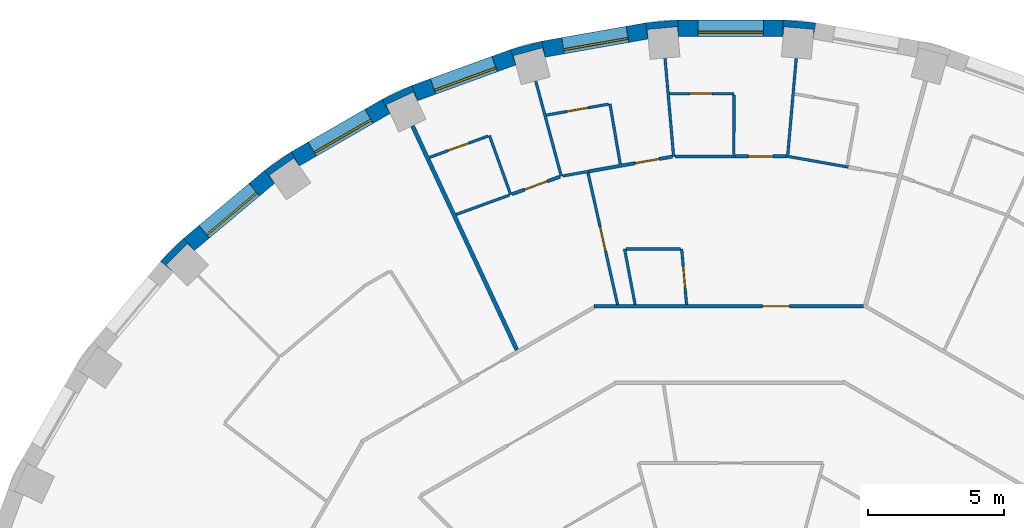
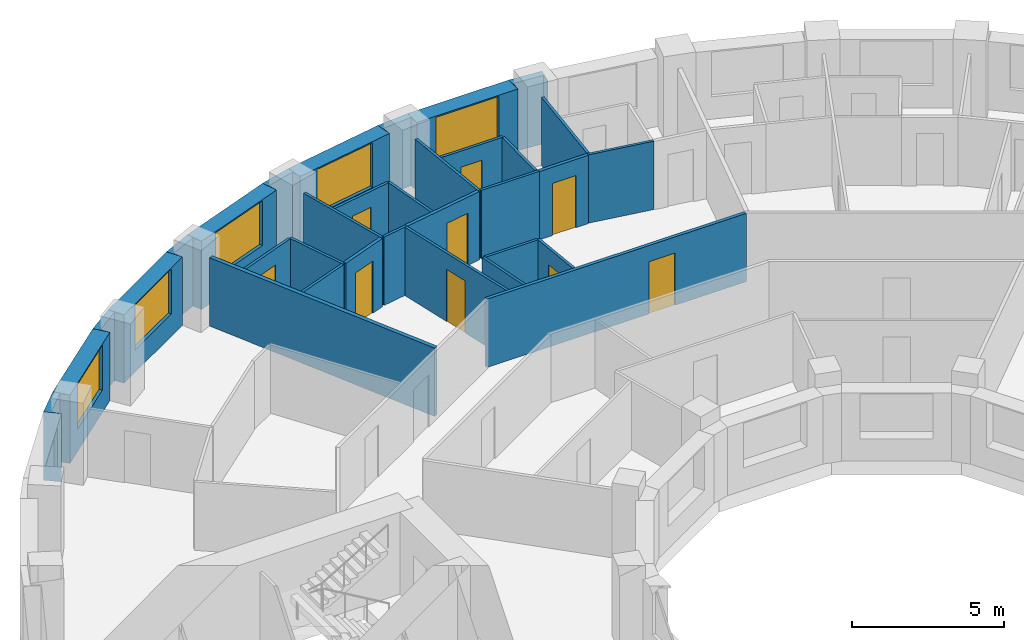
# One storey, part 11 of 15: 33 walls, 9 doors, 5 windows, 14 openings.
"""IFC4 building model written with IfcOpenShell, lengths in metres."""

from ifc_helpers import new_model, si_unit, direction, frame, frame_2d, origin, place, context, subcontext, project, spatial, polyline, rectangle, outline, extrude, material, layer, layer_set, type_object, element, fill, save


model = new_model("IFC4")

# Units and contexts
model_context = context("Model", 3, precision=1e-05, world=origin(), true_north=direction((0.0, 1.0)))
body_context = subcontext(model_context, "Body", "Model", "MODEL_VIEW")
ifc_project = project(units=[si_unit("LENGTHUNIT", "METRE"), si_unit("AREAUNIT", "SQUARE_METRE"), si_unit("VOLUMEUNIT", "CUBIC_METRE"), si_unit("PLANEANGLEUNIT", "RADIAN"), si_unit("MASSUNIT", "GRAM", prefix="KILO")], contexts=[model_context])

# Site, building, storey
site_placement = place(None, origin())
site = spatial("IfcSite", under=ifc_project, at=site_placement, CompositionType="ELEMENT")
building_placement = place(site_placement, origin())
building = spatial("IfcBuilding", under=site, at=building_placement, Name="Saqina Gate Tower", CompositionType="ELEMENT")
storey_placement = place(building_placement, frame((0.0, 0.0, 36.199951171875)))
storey = spatial("IfcBuildingStorey", under=building, at=storey_placement, Name="L09", CompositionType="ELEMENT", Elevation=36.199951171875)

# Walls
ifc_material_1 = material(Name="Brick masonry (red)", Category="masonry")
wall_type_1 = type_object("IfcWallType", Name="BRICK PIER COPING RED", PredefinedType="SOLIDWALL", material=ifc_material_1)
wall_1_placement = place(storey_placement, origin())
element("IfcWall", 1, at=wall_1_placement, inside=storey, type_object=wall_type_1, Name="Pier cap L09 column 9", PredefinedType="SOLIDWALL", context=body_context, shape_type="SweptSolid", body=[
    extrude(outline(polyline([(3.122802734375, 28.78466796875), (1.9228515625, 28.8896484375), (1.9228515625, 28.28955078125), (1.95361328125, 28.638671875), (3.04931640625, 28.54296875), (3.018798828125, 28.19384765625), (3.122802734375, 28.78466796875)])), origin(), (0.0, 0.0, 1.0), 2.75),
])
wall_2_placement = place(storey_placement, origin())
element("IfcWall", 2, at=wall_2_placement, inside=storey, type_object=wall_type_1, Name="Pier cap L09 column 10", PredefinedType="SOLIDWALL", context=body_context, shape_type="SweptSolid", body=[
    extrude(outline(polyline([(-1.9228515625, 28.8896484375), (-3.122802734375, 28.78466796875), (-3.018798828125, 28.19384765625), (-3.04931640625, 28.54296875), (-1.95361328125, 28.638671875), (-1.9228515625, 28.28955078125), (-1.9228515625, 28.8896484375)])), origin(), (0.0, 0.0, 1.0), 2.75),
])
wall_3_placement = place(storey_placement, origin())
element("IfcWall", 3, at=wall_3_placement, inside=storey, type_object=wall_type_1, Name="Pier cap L09 column 11", PredefinedType="SOLIDWALL", context=body_context, shape_type="SweptSolid", body=[
    extrude(outline(polyline([(-6.910400390625, 28.11669921875), (-8.073974609375, 27.80517578125), (-7.86865234375, 27.2412109375), (-7.95947265625, 27.57958984375), (-6.896728515625, 27.864501953125), (-6.80615234375, 27.52587890625), (-6.910400390625, 28.11669921875)])), origin(), (0.0, 0.0, 1.0), 2.75),
])
wall_4_placement = place(storey_placement, origin())
element("IfcWall", 4, at=wall_4_placement, inside=storey, type_object=wall_type_1, Name="Pier cap L09 column 12", PredefinedType="SOLIDWALL", context=body_context, shape_type="SweptSolid", body=[
    extrude(outline(polyline([(-12.779541015625, 25.980712890625), (-12.4794921875, 25.4609375), (-12.627685546875, 25.778564453125), (-11.630615234375, 26.243408203125), (-11.482666015625, 25.92578125), (-11.687744140625, 26.48974609375), (-12.779541015625, 25.980712890625)])), origin(), (0.0, 0.0, 1.0), 2.75),
])
wall_5_placement = place(storey_placement, origin())
element("IfcWall", 5, at=wall_5_placement, inside=storey, type_object=wall_type_1, Name="Pier cap L09 column 13", PredefinedType="SOLIDWALL", context=body_context, shape_type="SweptSolid", body=[
    extrude(outline(polyline([(-16.110107421875, 24.0576171875), (-17.096923828125, 23.36669921875), (-16.711181640625, 22.9072265625), (-16.912109375, 23.194091796875), (-16.010986328125, 23.8251953125), (-15.81005859375, 23.5380859375), (-16.110107421875, 24.0576171875)])), origin(), (0.0, 0.0, 1.0), 2.75),
])
wall_6_placement = place(storey_placement, origin())
element("IfcWall", 6, at=wall_6_placement, inside=storey, type_object=wall_type_1, Name="Pier cap L09 column 14", PredefinedType="SOLIDWALL", context=body_context, shape_type="SweptSolid", body=[
    extrude(outline(polyline([(-20.894775390625, 20.04296875), (-20.43505859375, 19.6572265625), (-20.682861328125, 19.905029296875), (-19.905029296875, 20.682861328125), (-19.6572265625, 20.43505859375), (-20.04296875, 20.894775390625), (-20.894775390625, 20.04296875)])), origin(), (0.0, 0.0, 1.0), 2.75),
])

# Wall, opening, window
ifc_material_2 = material(Name="Brick masonry (red)", Category="masonry")
ifc_layer_1 = layer(ifc_material_2, 0.60009765625)
ifc_layer_set_1 = layer_set([ifc_layer_1], Name="FW-BRICK-RED")
wall_type_2 = type_object("IfcWallType", Name="FW-BRICK-RED", PredefinedType="SOLIDWALL", material=ifc_layer_set_1)
wall_7_placement = place(storey_placement, frame((1.9228515625, 28.589599609375, 0.0), z_axis=(0.0, 0.0, 1.0), x_axis=(-1.0, 0.0, 0.0)))
wall_7 = element("IfcWall", 7, at=wall_7_placement, inside=storey, type_object=wall_type_2, Name="Facade wall L09 facet 9", PredefinedType="SOLIDWALL", context=body_context, shape_type="SweptSolid", body=[
    extrude(rectangle(XDim=3.845703125, YDim=0.60009765625, at=frame_2d((1.9228515625, 0.0))), origin(), (0.0, 0.0, 1.0), 2.75),
])
opening_1_placement = place(wall_7_placement, frame((0.722900390625, 0.0, 0.89990234375)))
opening_1 = element("IfcOpeningElement", 8, at=opening_1_placement, cuts=wall_7, Name="Opening G02-W07", PredefinedType="OPENING", context=body_context, shape_type="SweptSolid", body=[
    extrude(rectangle(XDim=2.39990234375, YDim=1.800048828125, at=frame_2d((1.199951171875, 0.89990234375))), frame((0.0, 0.31201171875, 0.0), z_axis=(0.0, -1.0, 0.0), x_axis=(1.0, 0.0, 0.0)), (0.0, 0.0, 1.0), 0.6240234375),
])
ifc_material_3 = material(Name="Aluminium glazing", Category="aluminium")
window_type = type_object("IfcWindowType", Name="WN-A", PartitioningType="SINGLE_PANEL", PredefinedType="WINDOW", material=ifc_material_3)
window_1_placement = place(opening_1_placement, origin())
window_1 = element("IfcWindow", 9, at=window_1_placement, inside=storey, type_object=window_type, Name="Window L09 facet 9", OverallHeight=1.800048828125, OverallWidth=2.39990234375, PartitioningType="SINGLE_PANEL", PredefinedType="WINDOW", context=body_context, shape_type="SweptSolid", body=[
    extrude(rectangle(XDim=2.39990234375, YDim=1.800048828125, at=frame_2d((1.199951171875, 0.89990234375))), frame((0.0, 0.179931640625, 0.0), z_axis=(0.0, -1.0, 0.0), x_axis=(1.0, 0.0, 0.0)), (0.0, 0.0, 1.0), 0.06005859375),
])
fill(opening_1, window_1)

wall_8_placement = place(storey_placement, frame((-3.07080078125, 28.4892578125, 0.0), z_axis=(0.0, 0.0, 1.0), x_axis=(-0.984800809218, -0.173687553279, 0.0)))
wall_8 = element("IfcWall", 10, at=wall_8_placement, inside=storey, type_object=wall_type_2, Name="Facade wall L09 facet 10", PredefinedType="SOLIDWALL", context=body_context, shape_type="SweptSolid", body=[
    extrude(rectangle(XDim=3.845703125, YDim=0.60009765625, at=frame_2d((1.9228515625, 0.0))), origin(), (0.0, 0.0, 1.0), 2.75),
])
opening_2_placement = place(wall_8_placement, frame((0.722900390625, 0.0, 0.89990234375)))
opening_2 = element("IfcOpeningElement", 11, at=opening_2_placement, cuts=wall_8, Name="Opening G02-W08", PredefinedType="OPENING", context=body_context, shape_type="SweptSolid", body=[
    extrude(rectangle(XDim=2.39990234375, YDim=1.800048828125, at=frame_2d((1.199951171875, 0.89990234375))), frame((0.0, 0.31201171875, 0.0), z_axis=(0.0, -1.0, 0.0), x_axis=(1.0, 0.0, 0.0)), (0.0, 0.0, 1.0), 0.6240234375),
])
window_2_placement = place(opening_2_placement, origin())
window_2 = element("IfcWindow", 12, at=window_2_placement, inside=storey, type_object=window_type, Name="Window L09 facet 10", OverallHeight=1.800048828125, OverallWidth=2.39990234375, PartitioningType="SINGLE_PANEL", PredefinedType="WINDOW", context=body_context, shape_type="SweptSolid", body=[
    extrude(rectangle(XDim=2.39990234375, YDim=1.800048828125, at=frame_2d((1.199951171875, 0.89990234375))), frame((0.0, 0.179931640625, 0.0), z_axis=(0.0, -1.0, 0.0), x_axis=(1.0, 0.0, 0.0)), (0.0, 0.0, 1.0), 0.06005859375),
])
fill(opening_2, window_2)

wall_9_placement = place(storey_placement, frame((-7.97119140625, 27.523193359375, 0.0), z_axis=(0.0, 0.0, 1.0), x_axis=(-0.939689588564, -0.342028474173, 0.0)))
wall_9 = element("IfcWall", 13, at=wall_9_placement, inside=storey, type_object=wall_type_2, Name="Facade wall L09 facet 11", PredefinedType="SOLIDWALL", context=body_context, shape_type="SweptSolid", body=[
    extrude(rectangle(XDim=3.845947265625, YDim=0.60009765625, at=frame_2d((1.9228515625, 0.0))), origin(), (0.0, 0.0, 1.0), 2.75),
])
opening_3_placement = place(wall_9_placement, frame((0.722900390625, 0.0, 0.89990234375)))
opening_3 = element("IfcOpeningElement", 14, at=opening_3_placement, cuts=wall_9, Name="Opening G02-W09", PredefinedType="OPENING", context=body_context, shape_type="SweptSolid", body=[
    extrude(rectangle(XDim=2.39990234375, YDim=1.800048828125, at=frame_2d((1.199951171875, 0.89990234375))), frame((0.0, 0.31201171875, 0.0), z_axis=(0.0, -1.0, 0.0), x_axis=(1.0, 0.0, 0.0)), (0.0, 0.0, 1.0), 0.6240234375),
])
window_3_placement = place(opening_3_placement, origin())
window_3 = element("IfcWindow", 15, at=window_3_placement, inside=storey, type_object=window_type, Name="Window L09 facet 11", OverallHeight=1.800048828125, OverallWidth=2.39990234375, PartitioningType="SINGLE_PANEL", PredefinedType="WINDOW", context=body_context, shape_type="SweptSolid", body=[
    extrude(rectangle(XDim=2.39990234375, YDim=1.800048828125, at=frame_2d((1.199951171875, 0.89990234375))), frame((0.0, 0.179931640625, 0.0), z_axis=(0.0, -1.0, 0.0), x_axis=(1.0, 0.0, 0.0)), (0.0, 0.0, 1.0), 0.06005859375),
])
fill(opening_3, window_3)

wall_10_placement = place(storey_placement, frame((-12.629638671875, 25.720703125, 0.0), z_axis=(0.0, 0.0, 1.0), x_axis=(-0.86603124159, -0.499989888488, 0.0)))
wall_10 = element("IfcWall", 16, at=wall_10_placement, inside=storey, type_object=wall_type_2, Name="Facade wall L09 facet 12", PredefinedType="SOLIDWALL", context=body_context, shape_type="SweptSolid", body=[
    extrude(rectangle(XDim=3.845703125, YDim=0.60009765625, at=frame_2d((1.9228515625, 0.0))), origin(), (0.0, 0.0, 1.0), 2.75),
])
opening_4_placement = place(wall_10_placement, frame((0.722900390625, 0.0, 0.89990234375)))
opening_4 = element("IfcOpeningElement", 17, at=opening_4_placement, cuts=wall_10, Name="Opening G02-W10", PredefinedType="OPENING", context=body_context, shape_type="SweptSolid", body=[
    extrude(rectangle(XDim=2.39990234375, YDim=1.800048828125, at=frame_2d((1.199951171875, 0.89990234375))), frame((0.0, 0.31201171875, 0.0), z_axis=(0.0, -1.0, 0.0), x_axis=(1.0, 0.0, 0.0)), (0.0, 0.0, 1.0), 0.6240234375),
])
window_4_placement = place(opening_4_placement, origin())
window_4 = element("IfcWindow", 18, at=window_4_placement, inside=storey, type_object=window_type, Name="Window L09 facet 12", OverallHeight=1.800048828125, OverallWidth=2.39990234375, PartitioningType="SINGLE_PANEL", PredefinedType="WINDOW", context=body_context, shape_type="SweptSolid", body=[
    extrude(rectangle(XDim=2.39990234375, YDim=1.800048828125, at=frame_2d((1.199951171875, 0.89990234375))), frame((0.0, 0.179931640625, 0.0), z_axis=(0.0, -1.0, 0.0), x_axis=(1.0, 0.0, 0.0)), (0.0, 0.0, 1.0), 0.06005859375),
])
fill(opening_4, window_4)

wall_11_placement = place(storey_placement, frame((-16.904052734375, 23.136962890625, 0.0), z_axis=(0.0, 0.0, 1.0), x_axis=(-0.766026164483, -0.642809392687, 0.0)))
wall_11 = element("IfcWall", 19, at=wall_11_placement, inside=storey, type_object=wall_type_2, Name="Facade wall L09 facet 13", PredefinedType="SOLIDWALL", context=body_context, shape_type="SweptSolid", body=[
    extrude(rectangle(XDim=3.845947265625, YDim=0.60009765625, at=frame_2d((1.9228515625, 0.0))), origin(), (0.0, 0.0, 1.0), 2.75),
])
opening_5_placement = place(wall_11_placement, frame((0.722900390625, 0.0, 0.89990234375)))
opening_5 = element("IfcOpeningElement", 20, at=opening_5_placement, cuts=wall_11, Name="Opening G02-W11", PredefinedType="OPENING", context=body_context, shape_type="SweptSolid", body=[
    extrude(rectangle(XDim=2.39990234375, YDim=1.800048828125, at=frame_2d((1.199951171875, 0.89990234375))), frame((0.0, 0.31201171875, 0.0), z_axis=(0.0, -1.0, 0.0), x_axis=(1.0, 0.0, 0.0)), (0.0, 0.0, 1.0), 0.6240234375),
])
window_5_placement = place(opening_5_placement, origin())
window_5 = element("IfcWindow", 21, at=window_5_placement, inside=storey, type_object=window_type, Name="Window L09 facet 13", OverallHeight=1.800048828125, OverallWidth=2.39990234375, PartitioningType="SINGLE_PANEL", PredefinedType="WINDOW", context=body_context, shape_type="SweptSolid", body=[
    extrude(rectangle(XDim=2.39990234375, YDim=1.800048828125, at=frame_2d((1.199951171875, 0.89990234375))), frame((0.0, 0.179931640625, 0.0), z_axis=(0.0, -1.0, 0.0), x_axis=(1.0, 0.0, 0.0)), (0.0, 0.0, 1.0), 0.06005859375),
])
fill(opening_5, window_5)

# Wall
ifc_material_4 = material(Name="Gypsum board on steel studs, 100 mm", Category="steel")
ifc_layer_2 = layer(ifc_material_4, 0.10009765625)
ifc_layer_set_2 = layer_set([ifc_layer_2], Name="PARTITION 100")
wall_type_3 = type_object("IfcWallType", Name="PARTITION 100", PredefinedType="PARTITIONING", material=ifc_layer_set_2)
wall_12_placement = place(storey_placement, frame((-2.404296875, 27.485107421875, 0.0), z_axis=(0.0, 0.0, 1.0), x_axis=(0.08706456859, -0.996202670593, 0.0)))
element("IfcWall", 22, at=wall_12_placement, inside=storey, type_object=wall_type_3, Name="PARTITION PW3-04", PredefinedType="PARTITIONING", context=body_context, shape_type="SweptSolid", body=[
    extrude(rectangle(XDim=3.60888671875, YDim=0.10009765625, at=frame_2d((1.804443359375, 0.0))), origin(), (0.0, 0.0, 1.0), 2.75),
])

# Wall, opening, door
wall_13_placement = place(storey_placement, frame((-1.7939453125, 20.5, 0.0), z_axis=(0.0, 0.0, 1.0), x_axis=(0.087005571392, -0.996207824978, 0.0)))
wall_13 = element("IfcWall", 23, at=wall_13_placement, inside=storey, type_object=wall_type_3, Name="PARTITION PW3-05", PredefinedType="PARTITIONING", context=body_context, shape_type="SweptSolid", body=[
    extrude(rectangle(XDim=2.045654296875, YDim=0.10009765625, at=frame_2d((1.02294921875, 0.0))), origin(), (0.0, 0.0, 1.0), 2.75),
])
opening_6_placement = place(wall_13_placement, frame((0.654052734375, 0.0, 0.0)))
opening_6 = element("IfcOpeningElement", 24, at=opening_6_placement, cuts=wall_13, Name="Opening G02-D21", PredefinedType="OPENING", context=body_context, shape_type="SweptSolid", body=[
    extrude(rectangle(XDim=0.800048828125, YDim=2.10009765625, at=frame_2d((0.39990234375, 1.050048828125))), frame((0.0, 0.06201171875, 0.0), z_axis=(0.0, -1.0, 0.0), x_axis=(1.0, 0.0, 0.0)), (0.0, 0.0, 1.0), 0.1240234375),
])
ifc_material_5 = material(Name="Timber door leaf, 800 mm", Category="wood")
door_type_1 = type_object("IfcDoorType", Name="DOOR 800 TIMBER", OperationType="SINGLE_SWING_LEFT", PredefinedType="DOOR", material=ifc_material_5)
door_1_placement = place(opening_6_placement, origin())
door_1 = element("IfcDoor", 25, at=door_1_placement, inside=storey, type_object=door_type_1, Name="DOOR G02-D21", OperationType="SINGLE_SWING_RIGHT", OverallHeight=2.10009765625, OverallWidth=0.800048828125, PredefinedType="DOOR", context=body_context, shape_type="SweptSolid", body=[
    extrude(rectangle(XDim=0.800048828125, YDim=2.10009765625, at=frame_2d((0.39990234375, 1.050048828125))), frame((0.0, 0.02490234375, 0.0), z_axis=(0.0, -1.0, 0.0), x_axis=(1.0, 0.0, 0.0)), (0.0, 0.0, 1.0), 0.050048828125),
])
fill(opening_6, door_1)

# Walls
wall_14_placement = place(storey_placement, frame((-4.423095703125, 25.81396484375, 0.0), z_axis=(0.0, 0.0, 1.0), x_axis=(0.168697286213, -0.985667908387, 0.0)))
element("IfcWall", 26, at=wall_14_placement, inside=storey, type_object=wall_type_3, Name="PARTITION PW3-08", PredefinedType="PARTITIONING", context=body_context, shape_type="SweptSolid", body=[
    extrude(rectangle(XDim=2.2373046875, YDim=0.10009765625, at=frame_2d((1.11865234375, 0.0))), origin(), (0.0, 0.0, 1.0), 2.75),
])
wall_15_placement = place(storey_placement, frame((-3.888916015625, 20.5, 0.0), z_axis=(0.0, 0.0, 1.0), x_axis=(0.186603866767, -0.982435238022, 0.0)))
element("IfcWall", 27, at=wall_15_placement, inside=storey, type_object=wall_type_3, Name="PARTITION PW3-10", PredefinedType="PARTITIONING", context=body_context, shape_type="SweptSolid", body=[
    extrude(rectangle(XDim=2.074951171875, YDim=0.10009765625, at=frame_2d((1.03759765625, 0.0))), origin(), (0.0, 0.0, 1.0), 2.75),
])

# Wall, opening, door
wall_16_placement = place(storey_placement, frame((-5.22802734375, 23.28515625, 0.0), z_axis=(0.0, 0.0, 1.0), x_axis=(0.219089188196, -0.975704836319, 0.0)))
wall_16 = element("IfcWall", 28, at=wall_16_placement, inside=storey, type_object=wall_type_3, Name="PARTITION PW3-11", PredefinedType="PARTITIONING", context=body_context, shape_type="SweptSolid", body=[
    extrude(rectangle(XDim=4.9443359375, YDim=0.10009765625, at=frame_2d((2.47216796875, 0.0))), origin(), (0.0, 0.0, 1.0), 2.75),
])
opening_7_placement = place(wall_16_placement, frame((2.0283203125, 0.0, 0.0)))
opening_7 = element("IfcOpeningElement", 29, at=opening_7_placement, cuts=wall_16, Name="Opening G02-D24", PredefinedType="OPENING", context=body_context, shape_type="SweptSolid", body=[
    extrude(rectangle(XDim=0.89990234375, YDim=2.10009765625, at=frame_2d((0.449951171875, 1.050048828125))), frame((0.0, 0.06201171875, 0.0), z_axis=(0.0, -1.0, 0.0), x_axis=(1.0, 0.0, 0.0)), (0.0, 0.0, 1.0), 0.1240234375),
])
ifc_material_6 = material(Name="Timber door leaf, 900 mm", Category="wood")
door_type_2 = type_object("IfcDoorType", Name="DOOR 900 TIMBER", OperationType="SINGLE_SWING_LEFT", PredefinedType="DOOR", material=ifc_material_6)
door_2_placement = place(opening_7_placement, origin())
door_2 = element("IfcDoor", 30, at=door_2_placement, inside=storey, type_object=door_type_2, Name="DOOR G02-D24", OperationType="SINGLE_SWING_RIGHT", OverallHeight=2.10009765625, OverallWidth=0.89990234375, PredefinedType="DOOR", context=body_context, shape_type="SweptSolid", body=[
    extrude(rectangle(XDim=0.89990234375, YDim=2.10009765625, at=frame_2d((0.449951171875, 1.050048828125))), frame((0.0, 0.02490234375, 0.0), z_axis=(0.0, -1.0, 0.0), x_axis=(1.0, 0.0, 0.0)), (0.0, 0.0, 1.0), 0.050048828125),
])
fill(opening_7, door_2)

# Walls
wall_17_placement = place(storey_placement, frame((-7.14306640625, 26.6494140625, 0.0), z_axis=(0.0, 0.0, 1.0), x_axis=(0.259371754041, -0.965777558864, 0.0)))
element("IfcWall", 31, at=wall_17_placement, inside=storey, type_object=wall_type_3, Name="PARTITION PW3-12", PredefinedType="PARTITIONING", context=body_context, shape_type="SweptSolid", body=[
    extrude(rectangle(XDim=3.60888671875, YDim=0.10009765625, at=frame_2d((1.804443359375, 0.0))), origin(), (0.0, 0.0, 1.0), 2.75),
])
wall_18_placement = place(storey_placement, frame((-8.839111328125, 24.653076171875, 0.0), z_axis=(0.0, 0.0, 1.0), x_axis=(0.337828591949, -0.941207651085, 0.0)))
element("IfcWall", 32, at=wall_18_placement, inside=storey, type_object=wall_type_3, Name="PARTITION PW3-18", PredefinedType="PARTITIONING", context=body_context, shape_type="SweptSolid", body=[
    extrude(rectangle(XDim=2.30029296875, YDim=0.10009765625, at=frame_2d((1.150146484375, 0.0))), origin(), (0.0, 0.0, 1.0), 2.75),
])
wall_19_placement = place(storey_placement, frame((2.0400390625, 23.89892578125, 0.0), z_axis=(0.0, 0.0, 1.0), x_axis=(0.984796344358, -0.173712866935, 0.0)))
element("IfcWall", 33, at=wall_19_placement, inside=storey, type_object=wall_type_3, Name="PARTITION PW3-55", PredefinedType="PARTITIONING", context=body_context, shape_type="SweptSolid", body=[
    extrude(rectangle(XDim=2.306396484375, YDim=0.10009765625, at=frame_2d((1.1533203125, 0.0))), origin(), (0.0, 0.0, 1.0), 2.75),
])
wall_20_placement = place(storey_placement, frame((-3.839111328125, 20.5, 0.0), z_axis=(0.0, 0.0, 1.0), x_axis=(1.0, 0.0, 0.0)))
element("IfcWall", 34, at=wall_20_placement, inside=storey, type_object=wall_type_3, Name="PARTITION PW3-62", PredefinedType="PARTITIONING", context=body_context, shape_type="SweptSolid", body=[
    extrude(rectangle(XDim=1.9951171875, YDim=0.10009765625, at=frame_2d((0.99755859375, 0.0))), origin(), (0.0, 0.0, 1.0), 2.75),
])
wall_21_placement = place(storey_placement, frame((-2.0400390625, 23.889892578125, 0.0), z_axis=(0.0, 0.0, 1.0), x_axis=(1.0, 0.0, 0.0)))
element("IfcWall", 35, at=wall_21_placement, inside=storey, type_object=wall_type_3, Name="PARTITION PW3-63", PredefinedType="PARTITIONING", context=body_context, shape_type="SweptSolid", body=[
    extrude(rectangle(XDim=2.205078125, YDim=0.10009765625, at=frame_2d((1.1025390625, 0.0))), origin(), (0.0, 0.0, 1.0), 2.75),
])

# Wall, opening, door
wall_22_placement = place(storey_placement, frame((-2.240966796875, 26.18994140625, 0.0), z_axis=(0.0, 0.0, 1.0), x_axis=(1.0, 0.0, 0.0)))
wall_22 = element("IfcWall", 36, at=wall_22_placement, inside=storey, type_object=wall_type_3, Name="PARTITION PW3-64", PredefinedType="PARTITIONING", context=body_context, shape_type="SweptSolid", body=[
    extrude(rectangle(XDim=2.366943359375, YDim=0.10009765625, at=frame_2d((1.18359375, 0.0))), origin(), (0.0, 0.0, 1.0), 2.75),
])
opening_8_placement = place(wall_22_placement, frame((0.758544921875, 0.0, 0.0)))
opening_8 = element("IfcOpeningElement", 37, at=opening_8_placement, cuts=wall_22, Name="Opening G02-D20", PredefinedType="OPENING", context=body_context, shape_type="SweptSolid", body=[
    extrude(rectangle(XDim=0.800048828125, YDim=2.10009765625, at=frame_2d((0.39990234375, 1.050048828125))), frame((0.0, 0.06201171875, 0.0), z_axis=(0.0, -1.0, 0.0), x_axis=(1.0, 0.0, 0.0)), (0.0, 0.0, 1.0), 0.1240234375),
])
door_3_placement = place(opening_8_placement, origin())
door_3 = element("IfcDoor", 38, at=door_3_placement, inside=storey, type_object=door_type_1, Name="DOOR G02-D20", OperationType="SINGLE_SWING_LEFT", OverallHeight=2.10009765625, OverallWidth=0.800048828125, PredefinedType="DOOR", context=body_context, shape_type="SweptSolid", body=[
    extrude(rectangle(XDim=0.800048828125, YDim=2.10009765625, at=frame_2d((0.39990234375, 1.050048828125))), frame((0.0, 0.02490234375, 0.0), z_axis=(0.0, -1.0, 0.0), x_axis=(1.0, 0.0, 0.0)), (0.0, 0.0, 1.0), 0.050048828125),
])
fill(opening_8, door_3)

# Wall
wall_23_placement = place(storey_placement, frame((-6.15771484375, 23.172607421875, 0.0), z_axis=(0.0, 0.0, 1.0), x_axis=(0.984806059991, 0.173657778994, 0.0)))
element("IfcWall", 39, at=wall_23_placement, inside=storey, type_object=wall_type_3, Name="PARTITION PW3-67", PredefinedType="PARTITIONING", context=body_context, shape_type="SweptSolid", body=[
    extrude(rectangle(XDim=0.982666015625, YDim=0.10009765625, at=frame_2d((0.4912109375, 0.0))), origin(), (0.0, 0.0, 1.0), 2.75),
])

# Wall, opening, door
wall_24_placement = place(storey_placement, frame((-6.754638671875, 25.402587890625, 0.0), z_axis=(0.0, 0.0, 1.0), x_axis=(0.984780377383, 0.173803361074, 0.0)))
wall_24 = element("IfcWall", 40, at=wall_24_placement, inside=storey, type_object=wall_type_3, Name="PARTITION PW3-68", PredefinedType="PARTITIONING", context=body_context, shape_type="SweptSolid", body=[
    extrude(rectangle(XDim=2.317626953125, YDim=0.10009765625, at=frame_2d((1.15869140625, 0.0))), origin(), (0.0, 0.0, 1.0), 2.75),
])
opening_9_placement = place(wall_24_placement, frame((0.7587890625, 0.0, 0.0)))
opening_9 = element("IfcOpeningElement", 41, at=opening_9_placement, cuts=wall_24, Name="Opening G02-D23", PredefinedType="OPENING", context=body_context, shape_type="SweptSolid", body=[
    extrude(rectangle(XDim=0.800048828125, YDim=2.10009765625, at=frame_2d((0.39990234375, 1.050048828125))), frame((0.0, 0.06201171875, 0.0), z_axis=(0.0, -1.0, 0.0), x_axis=(1.0, 0.0, 0.0)), (0.0, 0.0, 1.0), 0.1240234375),
])
door_4_placement = place(opening_9_placement, origin())
door_4 = element("IfcDoor", 42, at=door_4_placement, inside=storey, type_object=door_type_1, Name="DOOR G02-D23", OperationType="SINGLE_SWING_RIGHT", OverallHeight=2.10009765625, OverallWidth=0.800048828125, PredefinedType="DOOR", context=body_context, shape_type="SweptSolid", body=[
    extrude(rectangle(XDim=0.800048828125, YDim=2.10009765625, at=frame_2d((0.39990234375, 1.050048828125))), frame((0.0, 0.02490234375, 0.0), z_axis=(0.0, -1.0, 0.0), x_axis=(1.0, 0.0, 0.0)), (0.0, 0.0, 1.0), 0.050048828125),
])
fill(opening_9, door_4)

# Wall
wall_25_placement = place(storey_placement, frame((-10.064208984375, 21.759765625, 0.0), z_axis=(0.0, 0.0, 1.0), x_axis=(0.939769439446, 0.341809012, 0.0)))
element("IfcWall", 43, at=wall_25_placement, inside=storey, type_object=wall_type_3, Name="PARTITION PW3-71", PredefinedType="PARTITIONING", context=body_context, shape_type="SweptSolid", body=[
    extrude(rectangle(XDim=2.08056640625, YDim=0.10009765625, at=frame_2d((1.040283203125, 0.0))), origin(), (0.0, 0.0, 1.0), 2.75),
])

# Wall, opening, door
wall_26_placement = place(storey_placement, frame((-11.03955078125, 23.8525390625, 0.0), z_axis=(0.0, 0.0, 1.0), x_axis=(0.93974675699, 0.341871368686, 0.0)))
wall_26 = element("IfcWall", 44, at=wall_26_placement, inside=storey, type_object=wall_type_3, Name="PARTITION PW3-72", PredefinedType="PARTITIONING", context=body_context, shape_type="SweptSolid", body=[
    extrude(rectangle(XDim=2.291748046875, YDim=0.10009765625, at=frame_2d((1.14599609375, 0.0))), origin(), (0.0, 0.0, 1.0), 2.75),
])
opening_10_placement = place(wall_26_placement, frame((0.7333984375, 0.0, 0.0)))
opening_10 = element("IfcOpeningElement", 45, at=opening_10_placement, cuts=wall_26, Name="Opening G02-D26", PredefinedType="OPENING", context=body_context, shape_type="SweptSolid", body=[
    extrude(rectangle(XDim=0.800048828125, YDim=2.10009765625, at=frame_2d((0.39990234375, 1.050048828125))), frame((0.0, 0.06201171875, 0.0), z_axis=(0.0, -1.0, 0.0), x_axis=(1.0, 0.0, 0.0)), (0.0, 0.0, 1.0), 0.1240234375),
])
door_5_placement = place(opening_10_placement, origin())
door_5 = element("IfcDoor", 46, at=door_5_placement, inside=storey, type_object=door_type_1, Name="DOOR G02-D26", OperationType="SINGLE_SWING_LEFT", OverallHeight=2.10009765625, OverallWidth=0.800048828125, PredefinedType="DOOR", context=body_context, shape_type="SweptSolid", body=[
    extrude(rectangle(XDim=0.800048828125, YDim=2.10009765625, at=frame_2d((0.39990234375, 1.050048828125))), frame((0.0, 0.02490234375, 0.0), z_axis=(0.0, -1.0, 0.0), x_axis=(1.0, 0.0, 0.0)), (0.0, 0.0, 1.0), 0.050048828125),
])
fill(opening_10, door_5)

# Walls
wall_27_placement = place(storey_placement, frame((2.095458984375, 23.9521484375, 0.0), z_axis=(0.0, 0.0, 1.0), x_axis=(0.087084114239, 0.996200962179, 0.0)))
element("IfcWall", 47, at=wall_27_placement, inside=storey, type_object=wall_type_3, Name="PARTITION PW3-112", PredefinedType="PARTITIONING", context=body_context, shape_type="SweptSolid", body=[
    extrude(rectangle(XDim=3.54638671875, YDim=0.10009765625, at=frame_2d((1.773193359375, 0.0))), origin(), (0.0, 0.0, 1.0), 2.75),
])
wall_28_placement = place(storey_placement, frame((0.115234375, 23.952392578125, 0.0), z_axis=(0.0, 0.0, 1.0), x_axis=(0.004799051879, 0.999988484484, 0.0)))
element("IfcWall", 48, at=wall_28_placement, inside=storey, type_object=wall_type_3, Name="PARTITION PW3-113", PredefinedType="PARTITIONING", context=body_context, shape_type="SweptSolid", body=[
    extrude(rectangle(XDim=2.1875, YDim=0.10009765625, at=frame_2d((1.09375, 0.0))), origin(), (0.0, 0.0, 1.0), 2.75),
])

# Wall, opening, door
ifc_material_7 = material(Name="Gypsum board on steel studs, 125 mm, fire rated", Category="steel")
ifc_layer_3 = layer(ifc_material_7, 0.125)
ifc_layer_set_3 = layer_set([ifc_layer_3], Name="PARTITION EI 30 125")
wall_type_4 = type_object("IfcWallType", Name="PARTITION EI 30 125", PredefinedType="PARTITIONING", material=ifc_layer_set_3)
wall_29_placement = place(storey_placement, frame((-5.002197265625, 18.39990234375, 0.0), z_axis=(0.0, 0.0, 1.0), x_axis=(1.0, 0.0, 0.0)))
wall_29 = element("IfcWall", 49, at=wall_29_placement, inside=storey, type_object=wall_type_4, Name="PARTITION PW1-30", PredefinedType="PARTITIONING", context=body_context, shape_type="SweptSolid", body=[
    extrude(rectangle(XDim=9.86962890625, YDim=0.125, at=frame_2d((4.934814453125, 0.0))), origin(), (0.0, 0.0, 1.0), 2.75),
])
opening_11_placement = place(wall_29_placement, frame((6.162109375, 0.0, 0.0)))
opening_11 = element("IfcOpeningElement", 50, at=opening_11_placement, cuts=wall_29, Name="Opening G02-D17", PredefinedType="OPENING", context=body_context, shape_type="SweptSolid", body=[
    extrude(rectangle(XDim=1.0, YDim=2.10009765625, at=frame_2d((0.5, 1.050048828125))), frame((0.0, 0.074462890625, 0.0), z_axis=(0.0, -1.0, 0.0), x_axis=(1.0, 0.0, 0.0)), (0.0, 0.0, 1.0), 0.14892578125),
])
ifc_material_8 = material(Name="Fire door leaf EI 30, 1000 mm")
door_type_3 = type_object("IfcDoorType", Name="DOOR 1000 EI 30", OperationType="SINGLE_SWING_LEFT", PredefinedType="DOOR", material=ifc_material_8)
door_6_placement = place(opening_11_placement, origin())
door_6 = element("IfcDoor", 51, at=door_6_placement, inside=storey, type_object=door_type_3, Name="DOOR G02-D17", OperationType="SINGLE_SWING_RIGHT", OverallHeight=2.10009765625, OverallWidth=1.0, PredefinedType="DOOR", context=body_context, shape_type="SweptSolid", body=[
    extrude(rectangle(XDim=1.0, YDim=2.10009765625, at=frame_2d((0.5, 1.050048828125))), frame((0.0, 0.02490234375, 0.0), z_axis=(0.0, -1.0, 0.0), x_axis=(1.0, 0.0, 0.0)), (0.0, 0.0, 1.0), 0.050048828125),
])
fill(opening_11, door_6)

wall_30_placement = place(storey_placement, frame((0.1650390625, 23.889892578125, 0.0), z_axis=(0.0, 0.0, 1.0), x_axis=(1.0, 0.0, 0.0)))
wall_30 = element("IfcWall", 52, at=wall_30_placement, inside=storey, type_object=wall_type_4, Name="PARTITION PW1-31", PredefinedType="PARTITIONING", context=body_context, shape_type="SweptSolid", body=[
    extrude(rectangle(XDim=1.875, YDim=0.125, at=frame_2d((0.9375, 0.0))), origin(), (0.0, 0.0, 1.0), 2.75),
])
opening_12_placement = place(wall_30_placement, frame((0.487548828125, 0.0, 0.0)))
opening_12 = element("IfcOpeningElement", 53, at=opening_12_placement, cuts=wall_30, Name="Opening G02-D18", PredefinedType="OPENING", context=body_context, shape_type="SweptSolid", body=[
    extrude(rectangle(XDim=0.89990234375, YDim=2.10009765625, at=frame_2d((0.449951171875, 1.050048828125))), frame((0.0, 0.074462890625, 0.0), z_axis=(0.0, -1.0, 0.0), x_axis=(1.0, 0.0, 0.0)), (0.0, 0.0, 1.0), 0.14892578125),
])
ifc_material_9 = material(Name="Fire door leaf EI 30, 900 mm")
door_type_4 = type_object("IfcDoorType", Name="DOOR 900 EI 30", OperationType="SINGLE_SWING_LEFT", PredefinedType="DOOR", material=ifc_material_9)
door_7_placement = place(opening_12_placement, frame((0.89990234375, 0.0, 0.0), z_axis=(0.0, 0.0, 1.0), x_axis=(-1.0, 0.0, 0.0)))
door_7 = element("IfcDoor", 54, at=door_7_placement, inside=storey, type_object=door_type_4, Name="DOOR G02-D18", OperationType="SINGLE_SWING_LEFT", OverallHeight=2.10009765625, OverallWidth=0.89990234375, PredefinedType="DOOR", context=body_context, shape_type="SweptSolid", body=[
    extrude(rectangle(XDim=0.89990234375, YDim=2.10009765625, at=frame_2d((0.449951171875, 1.050048828125))), frame((0.0, 0.02490234375, 0.0), z_axis=(0.0, -1.0, 0.0), x_axis=(1.0, 0.0, 0.0)), (0.0, 0.0, 1.0), 0.050048828125),
])
fill(opening_12, door_7)

wall_31_placement = place(storey_placement, frame((-5.189697265625, 23.3427734375, 0.0), z_axis=(0.0, 0.0, 1.0), x_axis=(0.984810524367, 0.173632459798, 0.0)))
wall_31 = element("IfcWall", 55, at=wall_31_placement, inside=storey, type_object=wall_type_4, Name="PARTITION PW1-33", PredefinedType="PARTITIONING", context=body_context, shape_type="SweptSolid", body=[
    extrude(rectangle(XDim=3.09765625, YDim=0.125, at=frame_2d((1.548828125, 0.0))), origin(), (0.0, 0.0, 1.0), 2.75),
])
opening_13_placement = place(wall_31_placement, frame((1.710205078125, 0.0, 0.0)))
opening_13 = element("IfcOpeningElement", 56, at=opening_13_placement, cuts=wall_31, Name="Opening G02-D22", PredefinedType="OPENING", context=body_context, shape_type="SweptSolid", body=[
    extrude(rectangle(XDim=0.89990234375, YDim=2.10009765625, at=frame_2d((0.449951171875, 1.050048828125))), frame((0.0, 0.074462890625, 0.0), z_axis=(0.0, -1.0, 0.0), x_axis=(1.0, 0.0, 0.0)), (0.0, 0.0, 1.0), 0.14892578125),
])
door_8_placement = place(opening_13_placement, frame((0.89990234375, 0.0, 0.0), z_axis=(0.0, 0.0, 1.0), x_axis=(-1.0, 0.0, 0.0)))
door_8 = element("IfcDoor", 57, at=door_8_placement, inside=storey, type_object=door_type_4, Name="DOOR G02-D22", OperationType="SINGLE_SWING_LEFT", OverallHeight=2.10009765625, OverallWidth=0.89990234375, PredefinedType="DOOR", context=body_context, shape_type="SweptSolid", body=[
    extrude(rectangle(XDim=0.89990234375, YDim=2.10009765625, at=frame_2d((0.449951171875, 1.050048828125))), frame((0.0, 0.02490234375, 0.0), z_axis=(0.0, -1.0, 0.0), x_axis=(1.0, 0.0, 0.0)), (0.0, 0.0, 1.0), 0.050048828125),
])
fill(opening_13, door_8)

wall_32_placement = place(storey_placement, frame((-8.01513671875, 22.505126953125, 0.0), z_axis=(0.0, 0.0, 1.0), x_axis=(0.939553626447, 0.342401785962, 0.0)))
wall_32 = element("IfcWall", 58, at=wall_32_placement, inside=storey, type_object=wall_type_4, Name="PARTITION PW1-35", PredefinedType="PARTITIONING", context=body_context, shape_type="SweptSolid", body=[
    extrude(rectangle(XDim=1.87451171875, YDim=0.125, at=frame_2d((0.937255859375, 0.0))), origin(), (0.0, 0.0, 1.0), 2.75),
])
opening_14_placement = place(wall_32_placement, frame((0.4873046875, 0.0, 0.0)))
opening_14 = element("IfcOpeningElement", 59, at=opening_14_placement, cuts=wall_32, Name="Opening G02-D25", PredefinedType="OPENING", context=body_context, shape_type="SweptSolid", body=[
    extrude(rectangle(XDim=0.89990234375, YDim=2.10009765625, at=frame_2d((0.449951171875, 1.050048828125))), frame((0.0, 0.074462890625, 0.0), z_axis=(0.0, -1.0, 0.0), x_axis=(1.0, 0.0, 0.0)), (0.0, 0.0, 1.0), 0.14892578125),
])
door_9_placement = place(opening_14_placement, frame((0.89990234375, 0.0, 0.0), z_axis=(0.0, 0.0, 1.0), x_axis=(-1.0, 0.0, 0.0)))
door_9 = element("IfcDoor", 60, at=door_9_placement, inside=storey, type_object=door_type_4, Name="DOOR G02-D25", OperationType="SINGLE_SWING_LEFT", OverallHeight=2.10009765625, OverallWidth=0.89990234375, PredefinedType="DOOR", context=body_context, shape_type="SweptSolid", body=[
    extrude(rectangle(XDim=0.89990234375, YDim=2.10009765625, at=frame_2d((0.449951171875, 1.050048828125))), frame((0.0, 0.02490234375, 0.0), z_axis=(0.0, -1.0, 0.0), x_axis=(1.0, 0.0, 0.0)), (0.0, 0.0, 1.0), 0.050048828125),
])
fill(opening_14, door_9)

# Wall
ifc_material_10 = material(Name="Gypsum board on steel studs, 150 mm, fire rated", Category="steel")
ifc_layer_4 = layer(ifc_material_10, 0.14990234375)
ifc_layer_set_4 = layer_set([ifc_layer_4], Name="PARTITION EI 60 150")
wall_type_5 = type_object("IfcWallType", Name="PARTITION EI 60 150", PredefinedType="PARTITIONING", material=ifc_layer_set_4)
wall_33_placement = place(storey_placement, frame((-11.658935546875, 25.005615234375, 0.0), z_axis=(0.0, 0.0, 1.0), x_axis=(0.422264101424, -0.906472850475, 0.0)))
element("IfcWall", 61, at=wall_33_placement, inside=storey, type_object=wall_type_5, Name="PARTITION PW2-01", PredefinedType="PARTITIONING", context=body_context, shape_type="SweptSolid", body=[
    extrude(rectangle(XDim=9.05712890625, YDim=0.14990234375, at=frame_2d((4.528564453125, 0.0))), origin(), (0.0, 0.0, 1.0), 2.75),
])

save(model, "model.ifc")
